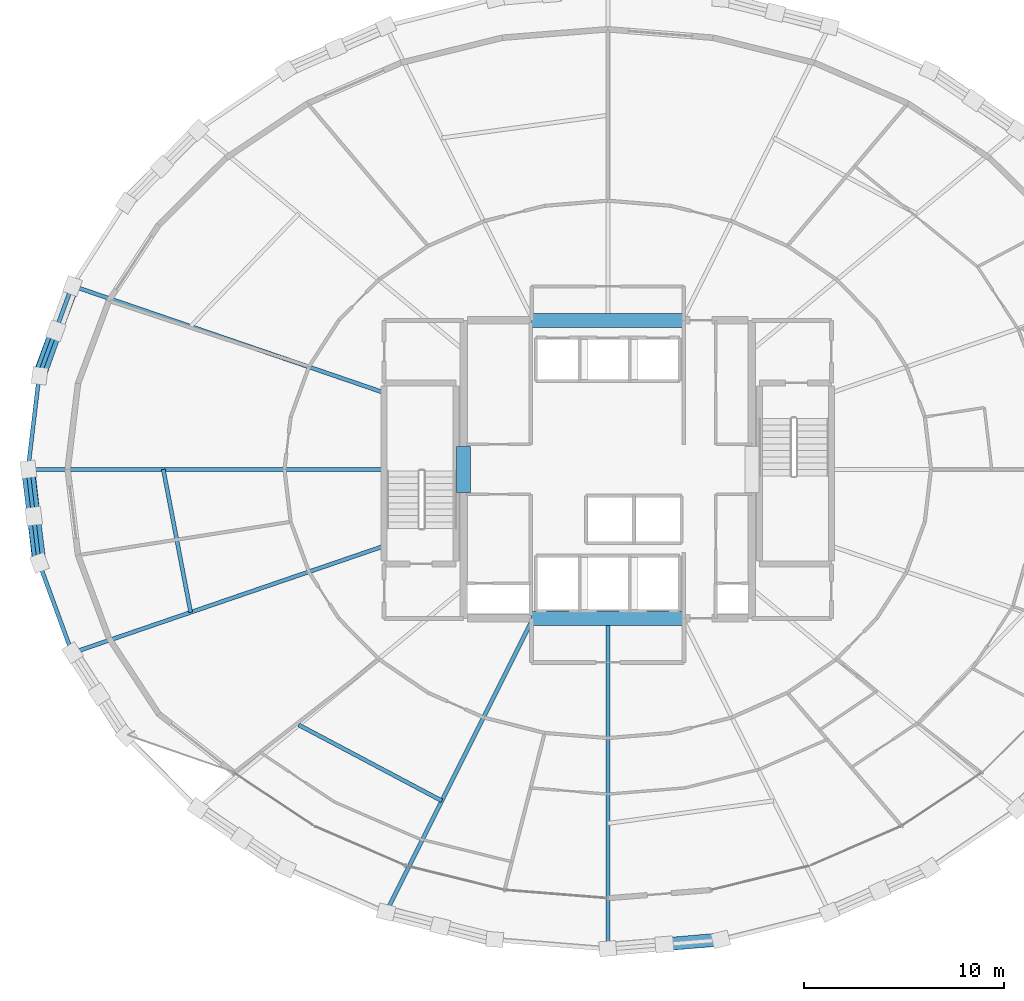
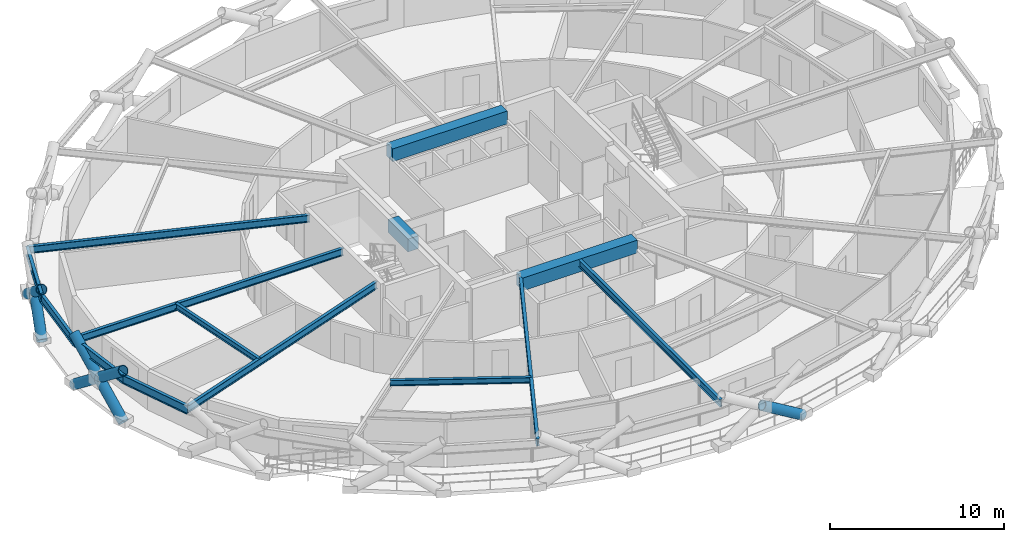
# One storey, part 6 of 21: 14 beams, 6 members.
"""IFC4 building model written with IfcOpenShell, lengths in metres."""

from ifc_helpers import new_model, si_unit, direction, frame, origin, origin_2d, place, context, subcontext, project, spatial, rectangle, hollow_circle, i_section, extrude, material, material_profile, profile_set, type_object, element, save


model = new_model("IFC4")

# Units and contexts
model_context = context("Model", 3, precision=1e-05, world=origin(), true_north=direction((0.0, 1.0)))
body_context = subcontext(model_context, "Body", "Model", "MODEL_VIEW")
ifc_project = project(units=[si_unit("LENGTHUNIT", "METRE"), si_unit("AREAUNIT", "SQUARE_METRE"), si_unit("VOLUMEUNIT", "CUBIC_METRE"), si_unit("PLANEANGLEUNIT", "RADIAN"), si_unit("MASSUNIT", "GRAM", prefix="KILO")], contexts=[model_context])

# Site, building, storey
site_placement = place(None, origin())
site = spatial("IfcSite", under=ifc_project, at=site_placement, CompositionType="ELEMENT")
building_placement = place(site_placement, origin())
building = spatial("IfcBuilding", under=site, at=building_placement, Name="Veldorina Hangang Commons", CompositionType="ELEMENT")
storey_placement = place(building_placement, frame((0.0, 0.0, 73.60009765625)))
storey = spatial("IfcBuildingStorey", under=building, at=storey_placement, Name="L18", CompositionType="ELEMENT", Elevation=73.60009765625)

# Beams
ifc_material_1 = material(Name="Concrete C70/85", Category="concrete")
ifc_material_profile_1 = material_profile(ifc_material_1, rectangle(XDim=0.699951171875, YDim=0.89990234375, at=origin_2d()), Name="RC-CB-700x900")
ifc_profile_set_1 = profile_set([ifc_material_profile_1], Name="Concrete C70/85")
beam_type_1 = type_object("IfcBeamType", Name="BM-CB900", PredefinedType="LINTEL", material=ifc_profile_set_1)
beam_1_placement = place(storey_placement, frame((24.800048828125, 22.85009765625, 2.889892578125), z_axis=(0.0, 1.0, 0.0), x_axis=(-1.0, 0.0, 0.0)))
element("IfcBeam", 1, at=beam_1_placement, inside=storey, type_object=beam_type_1, Name="L18 W core coupling lintel beam", PredefinedType="LINTEL", context=body_context, shape_type="SweptSolid", body=[
    extrude(rectangle(XDim=0.699951171875, YDim=0.89990234375, at=origin_2d()), origin(), (0.0, 0.0, 1.0), 2.2998046875),
])
for number, where, z_axis, x_axis, name in (
    (2, (28.199951171875, 16.550048828125, 2.889892578125), (1.0, 0.0, 0.0), (0.0, 1.0, 0.0), "L18 south core coupling beam"),
    (3, (28.199951171875, 31.449951171875, 2.889892578125), (1.0, 0.0, 0.0), (0.0, 1.0, 0.0), "L18 north core coupling beam"),
):
    element("IfcBeam", number, at=place(storey_placement, frame(where, z_axis=z_axis, x_axis=x_axis)), inside=storey, type_object=beam_type_1, Name=name, PredefinedType="LINTEL", context=body_context, shape_type="SweptSolid", body=[
        extrude(rectangle(XDim=0.699951171875, YDim=0.89990234375, at=origin_2d()), origin(), (0.0, 0.0, 1.0), 7.60009765625),
    ])
ifc_material_2 = material(Name="Steel SM420-TMC", Category="steel")
ifc_material_profile_2 = material_profile(ifc_material_2, i_section(OverallWidth=0.199951171875, OverallDepth=0.5, WebThickness=0.010009765625, FlangeThickness=0.01611328125, FilletRadius=0.01611328125, at=origin_2d()), Name="H-500x200x10x16")
ifc_profile_set_2 = profile_set([ifc_material_profile_2], Name="Steel SM420-TMC")
beam_type_2 = type_object("IfcBeamType", Name="BM-FG500", PredefinedType="BEAM", material=ifc_profile_set_2)
beam_2_placement = place(storey_placement, frame((20.820068359375, 27.83203125, 3.08984375), z_axis=(-0.945971118528, 0.324250895003, 0.0), x_axis=(-0.324250895003, -0.945971118528, 0.0)))
element("IfcBeam", 4, at=beam_2_placement, inside=storey, type_object=beam_type_2, Name="L18 radial floor girder 08", PredefinedType="BEAM", context=body_context, shape_type="SweptSolid", body=[
    extrude(i_section(OverallWidth=0.199951171875, OverallDepth=0.5, WebThickness=0.010009765625, FlangeThickness=0.01611328125, FilletRadius=0.01611328125, at=origin_2d()), origin(), (0.0, 0.0, 1.0), 16.49072265625),
])
beam_3_placement = place(storey_placement, frame((20.820068359375, 24.0, 3.08984375), z_axis=(-1.0, 0.0, 0.0), x_axis=(0.0, -1.0, 0.0)))
element("IfcBeam", 5, at=beam_3_placement, inside=storey, type_object=beam_type_2, Name="L18 radial floor girder 09", PredefinedType="BEAM", context=body_context, shape_type="SweptSolid", body=[
    extrude(i_section(OverallWidth=0.199951171875, OverallDepth=0.5, WebThickness=0.010009765625, FlangeThickness=0.01611328125, FilletRadius=0.01611328125, at=origin_2d()), origin(), (0.0, 0.0, 1.0), 17.80615234375),
])
beam_4_placement = place(storey_placement, frame((20.820068359375, 20.16796875, 3.08984375), z_axis=(-0.945971118528, -0.324250895003, 0.0), x_axis=(0.324250895003, -0.945971118528, 0.0)))
element("IfcBeam", 6, at=beam_4_placement, inside=storey, type_object=beam_type_2, Name="L18 radial floor girder 10", PredefinedType="BEAM", context=body_context, shape_type="SweptSolid", body=[
    extrude(i_section(OverallWidth=0.199951171875, OverallDepth=0.5, WebThickness=0.010009765625, FlangeThickness=0.01611328125, FilletRadius=0.01611328125, at=origin_2d()), origin(), (0.0, 0.0, 1.0), 16.49072265625),
])
beam_5_placement = place(storey_placement, frame((28.27099609375, 16.550048828125, 3.08984375), z_axis=(-0.447617223189, -0.894225263289, 0.0), x_axis=(0.894225263289, -0.447617223189, 0.0)))
element("IfcBeam", 7, at=beam_5_placement, inside=storey, type_object=beam_type_2, Name="L18 radial floor girder 12", PredefinedType="BEAM", context=body_context, shape_type="SweptSolid", body=[
    extrude(i_section(OverallWidth=0.199951171875, OverallDepth=0.5, WebThickness=0.010009765625, FlangeThickness=0.01611328125, FilletRadius=0.01611328125, at=origin_2d()), origin(), (0.0, 0.0, 1.0), 16.450439453125),
])
beam_6_placement = place(storey_placement, frame((32.0, 16.550048828125, 3.08984375), z_axis=(0.0, -1.0, 0.0), x_axis=(1.0, 0.0, 0.0)))
element("IfcBeam", 8, at=beam_6_placement, inside=storey, type_object=beam_type_2, Name="L18 radial floor girder 13", PredefinedType="BEAM", context=body_context, shape_type="SweptSolid", body=[
    extrude(i_section(OverallWidth=0.199951171875, OverallDepth=0.5, WebThickness=0.010009765625, FlangeThickness=0.01611328125, FilletRadius=0.01611328125, at=origin_2d()), origin(), (0.0, 0.0, 1.0), 16.5361328125),
])
ifc_material_3 = material(Name="Steel SM355-TMC", Category="steel")
ifc_material_profile_3 = material_profile(ifc_material_3, i_section(OverallWidth=0.199951171875, OverallDepth=0.39990234375, WebThickness=0.008056640625, FlangeThickness=0.012939453125, FilletRadius=0.012939453125, at=origin_2d()), Name="H-400x200x8x13")
ifc_profile_set_3 = profile_set([ifc_material_profile_3], Name="Steel SM355-TMC")
beam_type_3 = type_object("IfcBeamType", Name="BM-JST400", PredefinedType="JOIST", material=ifc_profile_set_3)
beam_7_placement = place(storey_placement, frame((9.7802734375, 24.0, 3.139892578125), z_axis=(0.187980000451, -0.982172856187, 0.0), x_axis=(0.982172856187, 0.187980000451, 0.0)))
element("IfcBeam", 9, at=beam_7_placement, inside=storey, type_object=beam_type_3, Name="L18 secondary floor joist 09", PredefinedType="JOIST", context=body_context, shape_type="SweptSolid", body=[
    extrude(i_section(OverallWidth=0.199951171875, OverallDepth=0.39990234375, WebThickness=0.008056640625, FlangeThickness=0.012939453125, FilletRadius=0.012939453125, at=origin_2d()), origin(), (0.0, 0.0, 1.0), 7.27685546875),
])
beam_8_placement = place(storey_placement, frame((16.556396484375, 11.22021484375, 3.139892578125), z_axis=(0.883497860339, -0.468435193785, 0.0), x_axis=(0.468435193785, 0.883497860339, 0.0)))
element("IfcBeam", 10, at=beam_8_placement, inside=storey, type_object=beam_type_3, Name="L18 secondary floor joist 11", PredefinedType="JOIST", context=body_context, shape_type="SweptSolid", body=[
    extrude(i_section(OverallWidth=0.199951171875, OverallDepth=0.39990234375, WebThickness=0.008056640625, FlangeThickness=0.012939453125, FilletRadius=0.012939453125, at=origin_2d()), origin(), (0.0, 0.0, 1.0), 8.091796875),
])
ifc_material_profile_4 = material_profile(ifc_material_2, i_section(OverallWidth=0.199951171875, OverallDepth=0.60009765625, WebThickness=0.010986328125, FlangeThickness=0.01708984375, FilletRadius=0.01806640625, at=origin_2d()), Name="H-600x200x11x17")
ifc_profile_set_4 = profile_set([ifc_material_profile_4], Name="Steel SM420-TMC")
beam_type_4 = type_object("IfcBeamType", Name="BM-RB600", PredefinedType="BEAM", material=ifc_profile_set_4)
beam_9_placement = place(storey_placement, frame((5.22021484375, 33.17919921875, 3.039794921875), z_axis=(-0.34416334132, -0.93890979039, 0.0), x_axis=(0.93890979039, -0.34416334132, 0.0)))
element("IfcBeam", 11, at=beam_9_placement, inside=storey, type_object=beam_type_4, Name="L18 perimeter hoop ring beam 14", PredefinedType="BEAM", context=body_context, shape_type="SweptSolid", body=[
    extrude(i_section(OverallWidth=0.199951171875, OverallDepth=0.60009765625, WebThickness=0.010986328125, FlangeThickness=0.01708984375, FilletRadius=0.01806640625, at=origin_2d()), origin(), (0.0, 0.0, 1.0), 4.79248046875),
])
for number, where, z_axis, x_axis, name in (
    (12, (3.57080078125, 28.679443359375, 3.039794921875), (-0.118172752684, -0.992993051599, 0.0), (0.992993051599, -0.118172752684, 0.0), "L18 perimeter hoop ring beam 15"),
    (13, (3.013916015625, 24.0, 3.039794921875), (0.118172752684, -0.992993051599, 0.0), (0.992993051599, 0.118172752684, 0.0), "L18 perimeter hoop ring beam 16"),
):
    element("IfcBeam", number, at=place(storey_placement, frame(where, z_axis=z_axis, x_axis=x_axis)), inside=storey, type_object=beam_type_4, Name=name, PredefinedType="BEAM", context=body_context, shape_type="SweptSolid", body=[
        extrude(i_section(OverallWidth=0.199951171875, OverallDepth=0.60009765625, WebThickness=0.010986328125, FlangeThickness=0.01708984375, FilletRadius=0.01806640625, at=origin_2d()), origin(), (0.0, 0.0, 1.0), 4.71240234375),
    ])
beam_10_placement = place(storey_placement, frame((3.57080078125, 19.320556640625, 3.039794921875), z_axis=(0.34416334132, -0.93890979039, 0.0), x_axis=(0.93890979039, 0.34416334132, 0.0)))
element("IfcBeam", 14, at=beam_10_placement, inside=storey, type_object=beam_type_4, Name="L18 perimeter hoop ring beam 17", PredefinedType="BEAM", context=body_context, shape_type="SweptSolid", body=[
    extrude(i_section(OverallWidth=0.199951171875, OverallDepth=0.60009765625, WebThickness=0.010986328125, FlangeThickness=0.01708984375, FilletRadius=0.01806640625, at=origin_2d()), origin(), (0.0, 0.0, 1.0), 4.79248046875),
])

# Members
ifc_material_4 = material(Name="Steel SM460-TMC", Category="steel")
ifc_material_profile_5 = material_profile(ifc_material_4, hollow_circle(Radius=0.324951171875, WallThickness=0.031982421875, at=origin_2d()), Name="CHS-650x32")
ifc_profile_set_5 = profile_set([ifc_material_profile_5], Name="Steel SM460-TMC")
member_type = type_object("IfcMemberType", Name="DG-CHS650", PredefinedType="BRACE", material=ifc_profile_set_5)
member_1_placement = place(storey_placement, frame((5.2421875, 33.169921875, 0.0), z_axis=(-0.279596763873, -0.74905374284, 0.600619796518), x_axis=(0.936861990441, -0.349699314937, 0.0)))
element("IfcMember", 15, at=member_1_placement, inside=storey, type_object=member_type, Name="L18 continuous perimeter diagrid brace 14", PredefinedType="BRACE", context=body_context, shape_type="SweptSolid", body=[
    extrude(hollow_circle(Radius=0.324951171875, WallThickness=0.031982421875, at=origin_2d()), origin(), (0.0, 0.0, 1.0), 5.99365234375),
])
member_2_placement = place(storey_placement, frame((3.593994140625, 28.6748046875, 0.0), z_axis=(0.270815523603, 0.752102250585, 0.600833718129), x_axis=(-0.940864001587, 0.338784489783, 0.0)))
element("IfcMember", 16, at=member_2_placement, inside=storey, type_object=member_type, Name="L18 split perimeter diagrid lower brace 15", PredefinedType="BRACE", context=body_context, shape_type="SweptSolid", body=[
    extrude(hollow_circle(Radius=0.324951171875, WallThickness=0.031982421875, at=origin_2d()), origin(), (0.0, 0.0, 1.0), 2.993896484375),
])
member_3_placement = place(storey_placement, frame((3.03759765625, 24.0, 0.0), z_axis=(0.089200493831, -0.789502616448, 0.607230508556), x_axis=(0.993677867176, 0.112268857144, 0.0)))
element("IfcMember", 17, at=member_3_placement, inside=storey, type_object=member_type, Name="L18 continuous perimeter diagrid brace 16", PredefinedType="BRACE", context=body_context, shape_type="SweptSolid", body=[
    extrude(hollow_circle(Radius=0.324951171875, WallThickness=0.031982421875, at=origin_2d()), origin(), (0.0, 0.0, 1.0), 5.92822265625),
])
member_4_placement = place(storey_placement, frame((3.593994140625, 19.3251953125, 0.0), z_axis=(-0.098637405735, 0.788440015101, 0.60715155009), x_axis=(-0.992265107566, -0.124136845083, 0.0)))
element("IfcMember", 18, at=member_4_placement, inside=storey, type_object=member_type, Name="L18 split perimeter diagrid lower brace 17", PredefinedType="BRACE", context=body_context, shape_type="SweptSolid", body=[
    extrude(hollow_circle(Radius=0.324951171875, WallThickness=0.031982421875, at=origin_2d()), origin(), (0.0, 0.0, 1.0), 2.962646484375),
])
member_5_placement = place(storey_placement, frame((3.3017578125, 21.6611328125, 1.798828125), z_axis=(-0.098516236867, 0.788459105418, 0.60714643222), x_axis=(-0.992284249479, -0.123983741819, 0.0)))
element("IfcMember", 19, at=member_5_placement, inside=storey, type_object=member_type, Name="L18 split perimeter diagrid upper brace 17", PredefinedType="BRACE", context=body_context, shape_type="SweptSolid", body=[
    extrude(hollow_circle(Radius=0.324951171875, WallThickness=0.031982421875, at=origin_2d()), origin(), (0.0, 0.0, 1.0), 2.96630859375),
])
member_6_placement = place(storey_placement, frame((37.650390625, 0.498046875, 0.0), z_axis=(-0.841158174319, -0.072720513039, 0.535877460582), x_axis=(0.086131561501, -0.996283771881, 0.0)))
element("IfcMember", 20, at=member_6_placement, inside=storey, type_object=member_type, Name="L18 split perimeter diagrid lower brace 25", PredefinedType="BRACE", context=body_context, shape_type="SweptSolid", body=[
    extrude(hollow_circle(Radius=0.324951171875, WallThickness=0.031982421875, at=origin_2d()), origin(), (0.0, 0.0, 1.0), 3.357177734375),
])

save(model, "model.ifc")
